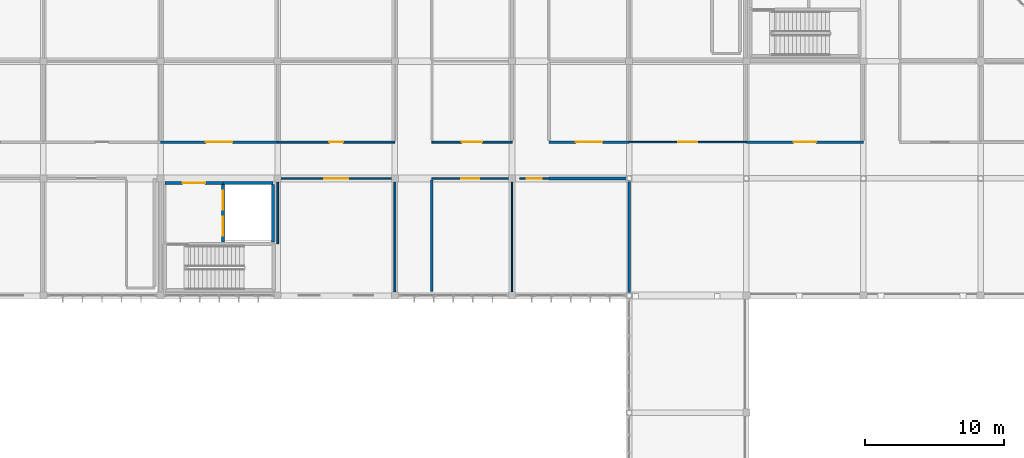
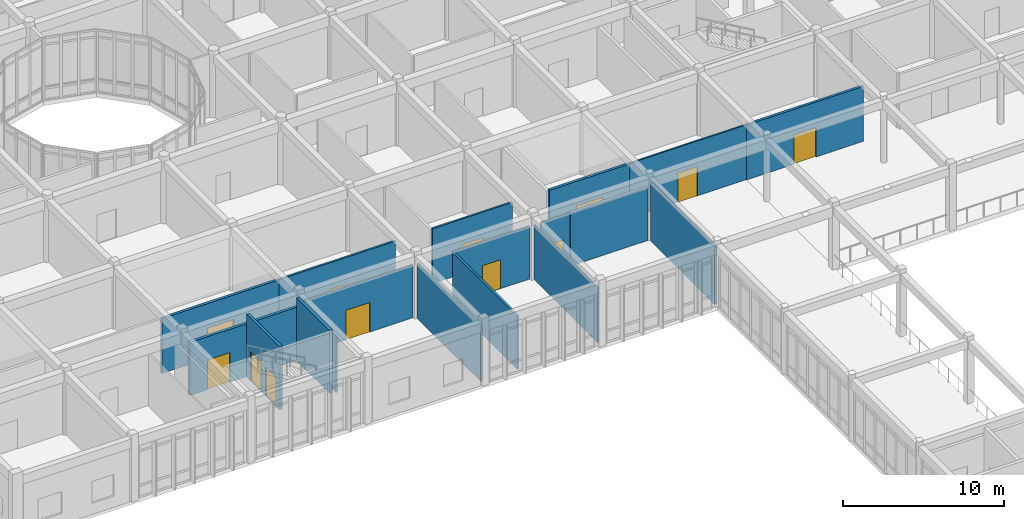
# One storey, part 92 of 134: 19 walls, 12 doors, 12 openings.
"""IFC4 building model written with IfcOpenShell, lengths in metres."""

import ifcopenshell
import ifcopenshell.guid

model = None  # the IFC model being written
_history = None  # IfcOwnerHistory: only IFC2X3 demands one
_inside = {}  # id of a spatial element -> (the spatial element, [elements in it])
_under = {}  # id of a project, library or spatial element -> (it, [spatial elements below it])
_declared = {}  # id of a project -> (the project, [libraries it declares])
_typed = {}  # id of a type object -> (the type object, [elements of that type])
_made_of = {}  # id of a material, layer set ... -> (it, [elements and type objects made of it])


def new_model(schema):
    """Start an empty IFC model of exactly this schema.

    Asked for "IFC4X3", IfcOpenShell would pick the latest addendum, in which some entities
    have other attributes; the version numbers below select the first issue.
    IFC2X3 requires an IfcOwnerHistory on every rooted entity: one is made here for all.
    """
    global model, _history
    if schema == "IFC4X3":
        model = ifcopenshell.file(schema_version=(4, 3, 0, 0))
    else:
        model = ifcopenshell.file(schema=schema)
    _inside.clear()
    _under.clear()
    _declared.clear()
    _typed.clear()
    _made_of.clear()
    _history = None
    if model.schema == "IFC2X3":
        org = make("IfcOrganization", Name="unknown")
        user = make(
            "IfcPersonAndOrganization",
            ThePerson=make("IfcPerson", FamilyName="unknown"),
            TheOrganization=org,
        )
        app = make(
            "IfcApplication",
            ApplicationDeveloper=org,
            Version="unknown",
            ApplicationFullName="unknown",
            ApplicationIdentifier="unknown",
        )
        _history = make(
            "IfcOwnerHistory",
            OwningUser=user,
            OwningApplication=app,
            ChangeAction="ADDED",
            CreationDate=0,
        )
    return model


def make(cls, **values):
    """One entity of the class cls with the attributes given. An attribute that is None is left unset."""
    return model.create_entity(
        cls, **{name: value for name, value in values.items() if value is not None}
    )


def rooted(cls, **values):
    """An entity with a GlobalId (a new one), such as an element, a storey or a relation."""
    return make(cls, GlobalId=ifcopenshell.guid.new(), OwnerHistory=_history, **values)


def si_unit(unit_type, name, prefix=None):
    """IfcSIUnit, for example si_unit("LENGTHUNIT", "METRE", prefix="MILLI")."""
    return make("IfcSIUnit", UnitType=unit_type, Prefix=prefix, Name=name)


def assignment(units):
    """IfcUnitAssignment: the units of a project."""
    return None if units is None else make("IfcUnitAssignment", Units=units)


def point(xyz):
    """IfcCartesianPoint."""
    return None if xyz is None else make("IfcCartesianPoint", Coordinates=xyz)


def direction(xyz):
    """IfcDirection."""
    return None if xyz is None else make("IfcDirection", DirectionRatios=xyz)


def frame(location, z_axis=None, x_axis=None):
    """IfcAxis2Placement3D, a coordinate frame: its origin and axes. An axis left out is left unset."""
    return make(
        "IfcAxis2Placement3D",
        Location=point(location),
        Axis=direction(z_axis),
        RefDirection=direction(x_axis),
    )


def frame_2d(location, x_axis=None):
    """IfcAxis2Placement2D, a coordinate frame in the plane: its origin and x axis."""
    return make(
        "IfcAxis2Placement2D", Location=point(location), RefDirection=direction(x_axis)
    )


def origin():
    """The frame at (0, 0, 0) with its axes left unset."""
    return frame((0.0, 0.0, 0.0))


def place(relative_to, where):
    """IfcLocalPlacement: puts the frame where relative to a parent placement (None: the world)."""
    return make(
        "IfcLocalPlacement", PlacementRelTo=relative_to, RelativePlacement=where
    )


def context(
    kind, dimensions, precision=None, world=None, true_north=None, identifier=None
):
    """IfcGeometricRepresentationContext, for example the 3D "Model" context."""
    return make(
        "IfcGeometricRepresentationContext",
        ContextIdentifier=identifier,
        ContextType=kind,
        CoordinateSpaceDimension=dimensions,
        Precision=precision,
        WorldCoordinateSystem=world,
        TrueNorth=true_north,
    )


def subcontext(parent, identifier, kind, view, scale=None):
    """IfcGeometricRepresentationSubContext, for example "Body" below "Model"."""
    return make(
        "IfcGeometricRepresentationSubContext",
        ContextIdentifier=identifier,
        ContextType=kind,
        ParentContext=parent,
        TargetScale=scale,
        TargetView=view,
    )


def project(units=None, contexts=None):
    """IfcProject with its units and contexts."""
    return rooted(
        "IfcProject",
        Name="project",
        RepresentationContexts=contexts,
        UnitsInContext=assignment(units),
    )


def spatial(cls, under=None, at=None, **own):
    """A site, building, storey or space (cls), placed at a placement, below another one or the project."""
    s = rooted(cls, ObjectPlacement=at, **own)
    if under is not None:
        _under.setdefault(under.id(), (under, []))[1].append(s)
    return s


def profile(cls, at=None, kind="AREA", **sizes):
    """A parametric profile (cls). Its sizes go by their IFC names, for example OverallWidth=200.0."""
    return make(cls, ProfileType=kind, Position=at, **sizes)


def rectangle(**sizes):
    """IfcRectangleProfileDef."""
    return profile("IfcRectangleProfileDef", **sizes)


def extrude(swept, where, along, depth):
    """IfcExtrudedAreaSolid: the profile swept, set in the frame where, extruded along a direction by depth."""
    return make(
        "IfcExtrudedAreaSolid",
        SweptArea=swept,
        Position=where,
        ExtrudedDirection=direction(along),
        Depth=depth,
    )


def shape(context_of_items, identifier, shape_type, items):
    """IfcShapeRepresentation: the items that make up one representation, for example the "Body"."""
    return make(
        "IfcShapeRepresentation",
        ContextOfItems=context_of_items,
        RepresentationIdentifier=identifier,
        RepresentationType=shape_type,
        Items=items,
    )


def material(Name=None, Category=None):
    """IfcMaterial."""
    return make("IfcMaterial", Name=Name, Category=Category)


def layer(
    of_material, thickness, ventilated=None, Name=None, Category=None, Priority=None
):
    """IfcMaterialLayer: one layer of a wall or slab, of a material (None: an air gap)."""
    return make(
        "IfcMaterialLayer",
        Material=of_material,
        LayerThickness=thickness,
        IsVentilated=ventilated,
        Name=Name,
        Category=Category,
        Priority=Priority,
    )


def layer_set(layers, Name=None):
    """IfcMaterialLayerSet."""
    return make("IfcMaterialLayerSet", MaterialLayers=layers, LayerSetName=Name)


def made_of(thing, what):
    """Note that an element or type object is made of a material, layer set ...; save() writes the relation."""
    if what is not None:
        _made_of.setdefault(what.id(), (what, []))[1].append(thing)
    return thing


def type_object(cls, material=None, **own):
    """A type object (cls), such as IfcWallType, which elements share."""
    return made_of(rooted(cls, **own), material)


def element(
    cls,
    number,
    at=None,
    inside=None,
    cuts=None,
    type_object=None,
    material=None,
    context=None,
    identifier="Body",
    shape_type=None,
    held_by="IfcProductDefinitionShape",
    body=None,
    shapes=None,
    **own,
):
    """One element of the class cls, such as IfcWall. Its Tag is "e" and its number.

    at: its placement. inside: the storey or other place that contains it. cuts: it is an
    opening in that element (IfcRelVoidsElement). A single representation is given by context,
    identifier, shape_type and body (its items); several are given by shapes. held_by: the class
    of the entity that holds the representations. save() writes the other relations.
    """
    e = rooted(cls, Tag="e%d" % number, ObjectPlacement=at, **own)
    if body is not None:
        shapes = [shape(context, identifier, shape_type, body)]
    if shapes is not None:
        e.Representation = make(held_by, Representations=shapes)
    if inside is not None:
        _inside.setdefault(inside.id(), (inside, []))[1].append(e)
    if cuts is not None:
        rooted(
            "IfcRelVoidsElement", RelatingBuildingElement=cuts, RelatedOpeningElement=e
        )
    if type_object is not None:
        _typed.setdefault(type_object.id(), (type_object, []))[1].append(e)
    return made_of(e, material)


def fill(opening, filler):
    """IfcRelFillsElement: the door or window that sits in an opening."""
    return rooted(
        "IfcRelFillsElement",
        RelatingOpeningElement=opening,
        RelatedBuildingElement=filler,
    )


def aggregate(whole, parts):
    """IfcRelAggregates: a whole, such as a stair, and the parts it consists of."""
    return rooted("IfcRelAggregates", RelatingObject=whole, RelatedObjects=parts)


def save(model, path):
    """Write the relations noted so far, then the file.

    IfcRelAggregates (storeys below a building ...), IfcRelContainedInSpatialStructure (elements
    in a storey), IfcRelDefinesByType, IfcRelAssociatesMaterial and IfcRelDeclares: one each for
    every whole, place, type object, material and project.
    """
    for whole, parts in _under.values():
        aggregate(whole, parts)
    for where, things in _inside.values():
        rooted(
            "IfcRelContainedInSpatialStructure",
            RelatedElements=things,
            RelatingStructure=where,
        )
    for kind, things in _typed.values():
        rooted("IfcRelDefinesByType", RelatedObjects=things, RelatingType=kind)
    for what, things in _made_of.values():
        rooted("IfcRelAssociatesMaterial", RelatedObjects=things, RelatingMaterial=what)
    for by, libraries in _declared.values():
        rooted("IfcRelDeclares", RelatingContext=by, RelatedDefinitions=libraries)
    model.write(path)


model = new_model("IFC4")

# Units and contexts
model_context = context("Model", 3, precision=1e-05, world=origin(), true_north=direction((0.0, 1.0)))
body_context = subcontext(model_context, "Body", "Model", "MODEL_VIEW")
ifc_project = project(units=[si_unit("LENGTHUNIT", "METRE"), si_unit("AREAUNIT", "SQUARE_METRE"), si_unit("VOLUMEUNIT", "CUBIC_METRE"), si_unit("PLANEANGLEUNIT", "RADIAN"), si_unit("MASSUNIT", "GRAM", prefix="KILO")], contexts=[model_context])

# Site, building, storey
site_placement = place(None, origin())
site = spatial("IfcSite", under=ifc_project, at=site_placement, CompositionType="ELEMENT")
building_placement = place(site_placement, origin())
building = spatial("IfcBuilding", under=site, at=building_placement, Name="Bramfleet General Hospital", CompositionType="ELEMENT")
storey_placement = place(building_placement, frame((0.0, 0.0, 9.300048828125)))
storey = spatial("IfcBuildingStorey", under=building, at=storey_placement, Name="L02", CompositionType="ELEMENT", Elevation=9.300048828125)

# Wall
ifc_material_1 = material(Name="Concrete C35/45", Category="concrete")
ifc_layer_1 = layer(ifc_material_1, 0.219970703125, Name="WT-IW-01")
ifc_layer_set_1 = layer_set([ifc_layer_1], Name="Concrete C35/45")
wall_type_1 = type_object("IfcWallType", Name="WT-IW-01", PredefinedType="PARTITIONING", material=ifc_layer_set_1)
wall_1_placement = place(storey_placement, frame((44.64990234375, 58.800048828125, 0.0), z_axis=(0.0, 0.0, 1.0), x_axis=(1.0, 0.0, 0.0)))
element("IfcWall", 1, at=wall_1_placement, inside=storey, type_object=wall_type_1, Name="L02 Interior Partition IW-L02-1981", PredefinedType="PARTITIONING", context=body_context, shape_type="SweptSolid", body=[
    extrude(rectangle(XDim=5.552001953125, YDim=0.219970703125, at=frame_2d((2.77587890625, 0.0))), origin(), (0.0, 0.0, 1.0), 4.02001953125),
])

# Wall, openings, doors
ifc_layer_2 = layer(ifc_material_1, 0.205078125, Name="WT-IW-02")
ifc_layer_set_2 = layer_set([ifc_layer_2], Name="Concrete C35/45")
wall_type_2 = type_object("IfcWallType", Name="WT-IW-02", PredefinedType="PARTITIONING", material=ifc_layer_set_2)
wall_2_placement = place(storey_placement, frame((21.280029296875, 54.239990234375, 0.0), z_axis=(0.0, 0.0, 1.0), x_axis=(0.0, 1.0, 0.0)))
wall_2 = element("IfcWall", 2, at=wall_2_placement, inside=storey, type_object=wall_type_2, Name="L02 C2 Lobby East Shaft Wall", PredefinedType="PARTITIONING", context=body_context, shape_type="SweptSolid", body=[
    extrude(rectangle(XDim=4.1201171875, YDim=0.205078125, at=frame_2d((2.06005859375, 0.0))), origin(), (0.0, 0.0, 1.0), 4.77001953125),
])
opening_1_placement = place(wall_2_placement, frame((0.445068359375, 0.0, 0.0)))
opening_1 = element("IfcOpeningElement", 3, at=opening_1_placement, cuts=wall_2, Name="Opening LD-BL-01-L02", PredefinedType="OPENING", context=body_context, shape_type="SweptSolid", body=[
    extrude(rectangle(XDim=1.35009765625, YDim=2.199951171875, at=frame_2d((0.675048828125, 1.10009765625))), frame((0.0, 0.112548828125, 0.0), z_axis=(0.0, -1.0, 0.0), x_axis=(1.0, 0.0, 0.0)), (0.0, 0.0, 1.0), 0.22509765625),
])
opening_2_placement = place(wall_2_placement, frame((2.324951171875, 0.0, 0.0)))
opening_2 = element("IfcOpeningElement", 4, at=opening_2_placement, cuts=wall_2, Name="Opening LD-GL-01-L02", PredefinedType="OPENING", context=body_context, shape_type="SweptSolid", body=[
    extrude(rectangle(XDim=1.35009765625, YDim=2.199951171875, at=frame_2d((0.675048828125, 1.10009765625))), frame((0.0, 0.112548828125, 0.0), z_axis=(0.0, -1.0, 0.0), x_axis=(1.0, 0.0, 0.0)), (0.0, 0.0, 1.0), 0.22509765625),
])
ifc_material_2 = material(Name="Brushed stainless steel 1.4301", Category="steel")
door_type_1 = type_object("IfcDoorType", Name="DR-LD-01", OperationType="NOTDEFINED", PredefinedType="DOOR", material=ifc_material_2)
door_1_placement = place(opening_1_placement, origin())
door_1 = element("IfcDoor", 5, at=door_1_placement, inside=storey, type_object=door_type_1, Name="L02 Lift BL-01 Sliding Landing Door", OperationType="SLIDING_TO_LEFT", OverallHeight=2.199951171875, OverallWidth=1.35009765625, PredefinedType="DOOR", context=body_context, shape_type="SweptSolid", body=[
    extrude(rectangle(XDim=1.35009765625, YDim=2.199951171875, at=frame_2d((0.675048828125, 1.10009765625))), frame((0.0, 0.02490234375, 0.0), z_axis=(0.0, -1.0, 0.0), x_axis=(1.0, 0.0, 0.0)), (0.0, 0.0, 1.0), 0.050048828125),
])
fill(opening_1, door_1)
door_2_placement = place(opening_2_placement, origin())
door_2 = element("IfcDoor", 6, at=door_2_placement, inside=storey, type_object=door_type_1, Name="L02 Lift GL-01 Sliding Landing Door", OperationType="SLIDING_TO_LEFT", OverallHeight=2.199951171875, OverallWidth=1.35009765625, PredefinedType="DOOR", context=body_context, shape_type="SweptSolid", body=[
    extrude(rectangle(XDim=1.35009765625, YDim=2.199951171875, at=frame_2d((0.675048828125, 1.10009765625))), frame((0.0, 0.02490234375, 0.0), z_axis=(0.0, -1.0, 0.0), x_axis=(1.0, 0.0, 0.0)), (0.0, 0.0, 1.0), 0.050048828125),
])
fill(opening_2, door_2)

# Walls
wall_3_placement = place(storey_placement, frame((24.85009765625, 54.239990234375, 0.0), z_axis=(0.0, 0.0, 1.0), x_axis=(0.0, 1.0, 0.0)))
element("IfcWall", 7, at=wall_3_placement, inside=storey, type_object=wall_type_2, Name="L02 C2 Lift Shaft East Wall", PredefinedType="PARTITIONING", context=body_context, shape_type="SweptSolid", body=[
    extrude(rectangle(XDim=4.1201171875, YDim=0.205078125, at=frame_2d((2.06005859375, 0.0))), origin(), (0.0, 0.0, 1.0), 4.77001953125),
])
wall_4_placement = place(storey_placement, frame((21.280029296875, 58.47998046875, 0.0), z_axis=(0.0, 0.0, 1.0), x_axis=(1.0, 0.0, 0.0)))
element("IfcWall", 8, at=wall_4_placement, inside=storey, type_object=wall_type_2, Name="L02 C2 Lift Shaft North Wall", PredefinedType="PARTITIONING", context=body_context, shape_type="SweptSolid", body=[
    extrude(rectangle(XDim=3.570068359375, YDim=0.205078125, at=frame_2d((1.78515625, 0.0))), origin(), (0.0, 0.0, 1.0), 4.02001953125),
])

# Wall, opening, door
wall_5_placement = place(storey_placement, frame((17.10009765625, 58.47998046875, 0.0), z_axis=(0.0, 0.0, 1.0), x_axis=(1.0, 0.0, 0.0)))
wall_5 = element("IfcWall", 9, at=wall_5_placement, inside=storey, type_object=wall_type_2, Name="L02 C2 Lobby North Compartment Wall", PredefinedType="PARTITIONING", context=body_context, shape_type="SweptSolid", body=[
    extrude(rectangle(XDim=4.179931640625, YDim=0.205078125, at=frame_2d((2.08984375, 0.0))), origin(), (0.0, 0.0, 1.0), 4.02001953125),
])
opening_3_placement = place(wall_5_placement, frame((1.2900390625, 0.0, 0.0)))
opening_3 = element("IfcOpeningElement", 10, at=opening_3_placement, cuts=wall_5, Name="Opening D0016", PredefinedType="OPENING", context=body_context, shape_type="SweptSolid", body=[
    extrude(rectangle(XDim=1.60009765625, YDim=2.25, at=frame_2d((0.800048828125, 1.125))), frame((0.0, 0.112548828125, 0.0), z_axis=(0.0, -1.0, 0.0), x_axis=(1.0, 0.0, 0.0)), (0.0, 0.0, 1.0), 0.22509765625),
])
ifc_material_3 = material(Name="Stainless steel and acoustic timber leaf", Category="steel")
door_type_2 = type_object("IfcDoorType", Name="DR-D-04", OperationType="NOTDEFINED", PredefinedType="DOOR", material=ifc_material_3)
door_3_placement = place(opening_3_placement, origin())
door_3 = element("IfcDoor", 11, at=door_3_placement, inside=storey, type_object=door_type_2, Name="L02 C2 Lobby Fire Door D0016", OperationType="DOUBLE_SWING_LEFT", OverallHeight=2.25, OverallWidth=1.60009765625, PredefinedType="DOOR", context=body_context, shape_type="SweptSolid", body=[
    extrude(rectangle(XDim=1.60009765625, YDim=2.25, at=frame_2d((0.800048828125, 1.125))), frame((0.0, 0.02490234375, 0.0), z_axis=(0.0, -1.0, 0.0), x_axis=(1.0, 0.0, 0.0)), (0.0, 0.0, 1.0), 0.050048828125),
])
fill(opening_3, door_3)

ifc_layer_3 = layer(ifc_material_1, 0.18994140625, Name="WT-IW-03")
ifc_layer_set_3 = layer_set([ifc_layer_3], Name="Concrete C35/45")
wall_type_3 = type_object("IfcWallType", Name="WT-IW-03", PredefinedType="PARTITIONING", material=ifc_layer_set_3)
wall_6_placement = place(storey_placement, frame((16.800048828125, 61.39990234375, 0.0), z_axis=(0.0, 0.0, 1.0), x_axis=(1.0, 0.0, 0.0)))
wall_6 = element("IfcWall", 12, at=wall_6_placement, inside=storey, type_object=wall_type_3, Name="L02 Interior Partition IW-L02-1987", PredefinedType="PARTITIONING", context=body_context, shape_type="SweptSolid", body=[
    extrude(rectangle(XDim=8.39990234375, YDim=0.18994140625, at=frame_2d((4.199951171875, 0.0))), origin(), (0.0, 0.0, 1.0), 4.169921875),
])
opening_4_placement = place(wall_6_placement, frame((3.25, 0.0, 0.0)))
opening_4 = element("IfcOpeningElement", 13, at=opening_4_placement, cuts=wall_6, Name="Opening D0864", PredefinedType="OPENING", context=body_context, shape_type="SweptSolid", body=[
    extrude(rectangle(XDim=1.89990234375, YDim=2.300048828125, at=frame_2d((0.949951171875, 1.14990234375))), frame((0.0, 0.10498046875, 0.0), z_axis=(0.0, -1.0, 0.0), x_axis=(1.0, 0.0, 0.0)), (0.0, 0.0, 1.0), 0.2099609375),
])
door_type_3 = type_object("IfcDoorType", Name="DR-D-06", OperationType="NOTDEFINED", PredefinedType="DOOR", material=ifc_material_3)
door_4_placement = place(opening_4_placement, origin())
door_4 = element("IfcDoor", 14, at=door_4_placement, inside=storey, type_object=door_type_3, Name="Operating Theatre 2 Door D0864", OperationType="SLIDING_TO_LEFT", OverallHeight=2.300048828125, OverallWidth=1.89990234375, PredefinedType="DOOR", context=body_context, shape_type="SweptSolid", body=[
    extrude(rectangle(XDim=1.89990234375, YDim=2.300048828125, at=frame_2d((0.949951171875, 1.14990234375))), frame((0.0, 0.02490234375, 0.0), z_axis=(0.0, -1.0, 0.0), x_axis=(1.0, 0.0, 0.0)), (0.0, 0.0, 1.0), 0.050048828125),
])
fill(opening_4, door_4)

wall_7_placement = place(storey_placement, frame((44.64990234375, 61.39990234375, 0.0), z_axis=(0.0, 0.0, 1.0), x_axis=(1.0, 0.0, 0.0)))
wall_7 = element("IfcWall", 15, at=wall_7_placement, inside=storey, type_object=wall_type_3, Name="L02 Interior Partition IW-L02-1990", PredefinedType="PARTITIONING", context=body_context, shape_type="SweptSolid", body=[
    extrude(rectangle(XDim=5.75, YDim=0.18994140625, at=frame_2d((2.875, 0.0))), origin(), (0.0, 0.0, 1.0), 4.169921875),
])
opening_5_placement = place(wall_7_placement, frame((1.925048828125, 0.0, 0.0)))
opening_5 = element("IfcOpeningElement", 16, at=opening_5_placement, cuts=wall_7, Name="Opening D0887", PredefinedType="OPENING", context=body_context, shape_type="SweptSolid", body=[
    extrude(rectangle(XDim=1.89990234375, YDim=2.300048828125, at=frame_2d((0.949951171875, 1.14990234375))), frame((0.0, 0.10498046875, 0.0), z_axis=(0.0, -1.0, 0.0), x_axis=(1.0, 0.0, 0.0)), (0.0, 0.0, 1.0), 0.2099609375),
])
door_5_placement = place(opening_5_placement, origin())
door_5 = element("IfcDoor", 17, at=door_5_placement, inside=storey, type_object=door_type_3, Name="Operating Theatre 3 Door D0887", OperationType="SLIDING_TO_LEFT", OverallHeight=2.300048828125, OverallWidth=1.89990234375, PredefinedType="DOOR", context=body_context, shape_type="SweptSolid", body=[
    extrude(rectangle(XDim=1.89990234375, YDim=2.300048828125, at=frame_2d((0.949951171875, 1.14990234375))), frame((0.0, 0.02490234375, 0.0), z_axis=(0.0, -1.0, 0.0), x_axis=(1.0, 0.0, 0.0)), (0.0, 0.0, 1.0), 0.050048828125),
])
fill(opening_5, door_5)

ifc_layer_4 = layer(ifc_material_1, 0.179931640625, Name="WT-IW-04")
ifc_layer_set_4 = layer_set([ifc_layer_4], Name="Concrete C35/45")
wall_type_4 = type_object("IfcWallType", Name="WT-IW-04", PredefinedType="PARTITIONING", material=ifc_layer_set_4)
wall_8_placement = place(storey_placement, frame((58.800048828125, 61.39990234375, 0.0), z_axis=(0.0, 0.0, 1.0), x_axis=(1.0, 0.0, 0.0)))
wall_8 = element("IfcWall", 18, at=wall_8_placement, inside=storey, type_object=wall_type_4, Name="L02 Interior Partition IW-L02-1992", PredefinedType="PARTITIONING", context=body_context, shape_type="SweptSolid", body=[
    extrude(rectangle(XDim=8.39990234375, YDim=0.179931640625, at=frame_2d((4.199951171875, 0.0))), origin(), (0.0, 0.0, 1.0), 4.169921875),
])
opening_6_placement = place(wall_8_placement, frame((3.39990234375, 0.0, 0.0)))
opening_6 = element("IfcOpeningElement", 19, at=opening_6_placement, cuts=wall_8, Name="Opening D0900", PredefinedType="OPENING", context=body_context, shape_type="SweptSolid", body=[
    extrude(rectangle(XDim=1.60009765625, YDim=2.25, at=frame_2d((0.800048828125, 1.125))), frame((0.0, 0.099853515625, 0.0), z_axis=(0.0, -1.0, 0.0), x_axis=(1.0, 0.0, 0.0)), (0.0, 0.0, 1.0), 0.199951171875),
])
door_6_placement = place(opening_6_placement, origin())
door_6 = element("IfcDoor", 20, at=door_6_placement, inside=storey, type_object=door_type_2, Name="Interventional Cardiology Cath Lab L02-0707 Door D0900", OperationType="DOUBLE_SWING_LEFT", OverallHeight=2.25, OverallWidth=1.60009765625, PredefinedType="DOOR", context=body_context, shape_type="SweptSolid", body=[
    extrude(rectangle(XDim=1.60009765625, YDim=2.25, at=frame_2d((0.800048828125, 1.125))), frame((0.0, 0.02490234375, 0.0), z_axis=(0.0, -1.0, 0.0), x_axis=(1.0, 0.0, 0.0)), (0.0, 0.0, 1.0), 0.050048828125),
])
fill(opening_6, door_6)

# Walls
ifc_material_4 = material(Name="Gypsum plasterboard on acoustic steel studs", Category="steel")
ifc_layer_5 = layer(ifc_material_4, 0.159912109375, Name="WT-IW-06")
ifc_layer_set_5 = layer_set([ifc_layer_5], Name="Gypsum plasterboard on acoustic steel studs")
wall_type_5 = type_object("IfcWallType", Name="WT-IW-06", PredefinedType="PARTITIONING", material=ifc_layer_set_5)
wall_9_placement = place(storey_placement, frame((36.25, 50.679931640625, 0.0), z_axis=(0.0, 0.0, 1.0), x_axis=(0.0, 1.0, 0.0)))
element("IfcWall", 21, at=wall_9_placement, inside=storey, type_object=wall_type_5, Name="L02 Interior Partition IW-L02-2238", PredefinedType="PARTITIONING", context=body_context, shape_type="SweptSolid", body=[
    extrude(rectangle(XDim=8.005126953125, YDim=0.159912109375, at=frame_2d((4.00244140625, 0.0))), origin(), (0.0, 0.0, 1.0), 4.02001953125),
])
wall_10_placement = place(storey_placement, frame((50.39990234375, 50.59814453125, 0.0), z_axis=(0.0, 0.0, 1.0), x_axis=(0.0, 1.0, 0.0)))
element("IfcWall", 22, at=wall_10_placement, inside=storey, type_object=wall_type_5, Name="L02 Interior Partition IW-L02-2262", PredefinedType="PARTITIONING", context=body_context, shape_type="SweptSolid", body=[
    extrude(rectangle(XDim=8.003662109375, YDim=0.159912109375, at=frame_2d((4.001953125, 0.0))), origin(), (0.0, 0.0, 1.0), 4.369873046875),
])

# Wall, opening, door
ifc_layer_6 = layer(ifc_material_4, 0.139892578125, Name="WT-IW-08")
ifc_layer_set_6 = layer_set([ifc_layer_6], Name="Gypsum plasterboard on acoustic steel studs")
wall_type_6 = type_object("IfcWallType", Name="WT-IW-08", PredefinedType="PARTITIONING", material=ifc_layer_set_6)
wall_11_placement = place(storey_placement, frame((25.199951171875, 61.39990234375, 0.0), z_axis=(0.0, 0.0, 1.0), x_axis=(1.0, 0.0, 0.0)))
wall_11 = element("IfcWall", 23, at=wall_11_placement, inside=storey, type_object=wall_type_6, Name="L02 Interior Partition IW-L02-1988", PredefinedType="PARTITIONING", context=body_context, shape_type="SweptSolid", body=[
    extrude(rectangle(XDim=8.400146484375, YDim=0.139892578125, at=frame_2d((4.2001953125, 0.0))), origin(), (0.0, 0.0, 1.0), 4.169921875),
])
opening_7_placement = place(wall_11_placement, frame((3.699951171875, 0.0, 0.0)))
opening_7 = element("IfcOpeningElement", 24, at=opening_7_placement, cuts=wall_11, Name="Opening D0872", PredefinedType="OPENING", context=body_context, shape_type="SweptSolid", body=[
    extrude(rectangle(XDim=1.0, YDim=2.14990234375, at=frame_2d((0.5, 1.074951171875))), frame((0.0, 0.079833984375, 0.0), z_axis=(0.0, -1.0, 0.0), x_axis=(1.0, 0.0, 0.0)), (0.0, 0.0, 1.0), 0.159912109375),
])
door_type_4 = type_object("IfcDoorType", Name="DR-D-08", OperationType="NOTDEFINED", PredefinedType="DOOR", material=ifc_material_3)
door_7_placement = place(opening_7_placement, origin())
door_7 = element("IfcDoor", 25, at=door_7_placement, inside=storey, type_object=door_type_4, Name="Post-Anaesthesia Recovery Ward Bay L02-0307 Door D0872", OperationType="SINGLE_SWING_LEFT", OverallHeight=2.14990234375, OverallWidth=1.0, PredefinedType="DOOR", context=body_context, shape_type="SweptSolid", body=[
    extrude(rectangle(XDim=1.0, YDim=2.14990234375, at=frame_2d((0.5, 1.074951171875))), frame((0.0, 0.02490234375, 0.0), z_axis=(0.0, -1.0, 0.0), x_axis=(1.0, 0.0, 0.0)), (0.0, 0.0, 1.0), 0.050048828125),
])
fill(opening_7, door_7)

ifc_layer_7 = layer(ifc_material_4, 0.1298828125, Name="WT-IW-09")
ifc_layer_set_7 = layer_set([ifc_layer_7], Name="Gypsum plasterboard on acoustic steel studs")
wall_type_7 = type_object("IfcWallType", Name="WT-IW-09", PredefinedType="PARTITIONING", material=ifc_layer_set_7)
wall_12_placement = place(storey_placement, frame((36.25, 61.39990234375, 0.0), z_axis=(0.0, 0.0, 1.0), x_axis=(1.0, 0.0, 0.0)))
wall_12 = element("IfcWall", 26, at=wall_12_placement, inside=storey, type_object=wall_type_7, Name="L02 Interior Partition IW-L02-1989", PredefinedType="PARTITIONING", context=body_context, shape_type="SweptSolid", body=[
    extrude(rectangle(XDim=5.75, YDim=0.1298828125, at=frame_2d((2.875, 0.0))), origin(), (0.0, 0.0, 1.0), 4.169921875),
])
opening_8_placement = place(wall_12_placement, frame((2.135009765625, 0.0, 0.0)))
opening_8 = element("IfcOpeningElement", 27, at=opening_8_placement, cuts=wall_12, Name="Opening D0880", PredefinedType="OPENING", context=body_context, shape_type="SweptSolid", body=[
    extrude(rectangle(XDim=1.47998046875, YDim=2.219970703125, at=frame_2d((0.739990234375, 1.10986328125))), frame((0.0, 0.074951171875, 0.0), z_axis=(0.0, -1.0, 0.0), x_axis=(1.0, 0.0, 0.0)), (0.0, 0.0, 1.0), 0.14990234375),
])
door_type_5 = type_object("IfcDoorType", Name="DR-D-16", OperationType="NOTDEFINED", PredefinedType="DOOR", material=ifc_material_3)
door_8_placement = place(opening_8_placement, origin())
door_8 = element("IfcDoor", 28, at=door_8_placement, inside=storey, type_object=door_type_5, Name="Post-Anaesthesia Recovery Ward Bay L02-0407 Door D0880", OperationType="SINGLE_SWING_LEFT", OverallHeight=2.219970703125, OverallWidth=1.47998046875, PredefinedType="DOOR", context=body_context, shape_type="SweptSolid", body=[
    extrude(rectangle(XDim=1.47998046875, YDim=2.219970703125, at=frame_2d((0.739990234375, 1.10986328125))), frame((0.0, 0.02490234375, 0.0), z_axis=(0.0, -1.0, 0.0), x_axis=(1.0, 0.0, 0.0)), (0.0, 0.0, 1.0), 0.050048828125),
])
fill(opening_8, door_8)

# Wall
wall_13_placement = place(storey_placement, frame((33.60009765625, 50.64501953125, 0.0), z_axis=(0.0, 0.0, 1.0), x_axis=(0.0, 1.0, 0.0)))
element("IfcWall", 29, at=wall_13_placement, inside=storey, type_object=wall_type_7, Name="L02 Interior Partition IW-L02-2229", PredefinedType="PARTITIONING", context=body_context, shape_type="SweptSolid", body=[
    extrude(rectangle(XDim=7.909912109375, YDim=0.1298828125, at=frame_2d((3.955078125, 0.0))), origin(), (0.0, 0.0, 1.0), 4.169921875),
])

# Wall, opening, door
ifc_layer_8 = layer(ifc_material_4, 0.1201171875, Name="WT-IW-10")
ifc_layer_set_8 = layer_set([ifc_layer_8], Name="Gypsum plasterboard on acoustic steel studs")
wall_type_8 = type_object("IfcWallType", Name="WT-IW-10", PredefinedType="PARTITIONING", material=ifc_layer_set_8)
wall_14_placement = place(storey_placement, frame((25.445068359375, 58.800048828125, 0.0), z_axis=(0.0, 0.0, 1.0), x_axis=(1.0, 0.0, 0.0)))
wall_14 = element("IfcWall", 30, at=wall_14_placement, inside=storey, type_object=wall_type_8, Name="L02 Interior Partition IW-L02-1978", PredefinedType="PARTITIONING", context=body_context, shape_type="SweptSolid", body=[
    extrude(rectangle(XDim=7.909912109375, YDim=0.1201171875, at=frame_2d((3.955078125, 0.0))), origin(), (0.0, 0.0, 1.0), 4.02001953125),
])
opening_9_placement = place(wall_14_placement, frame((3.10498046875, 0.0, 0.0)))
opening_9 = element("IfcOpeningElement", 31, at=opening_9_placement, cuts=wall_14, Name="Opening D0871", PredefinedType="OPENING", context=body_context, shape_type="SweptSolid", body=[
    extrude(rectangle(XDim=1.699951171875, YDim=2.25, at=frame_2d((0.85009765625, 1.125))), frame((0.0, 0.070068359375, 0.0), z_axis=(0.0, -1.0, 0.0), x_axis=(1.0, 0.0, 0.0)), (0.0, 0.0, 1.0), 0.14013671875),
])
door_type_6 = type_object("IfcDoorType", Name="DR-D-07", OperationType="NOTDEFINED", PredefinedType="DOOR", material=ifc_material_3)
door_9_placement = place(opening_9_placement, origin())
door_9 = element("IfcDoor", 32, at=door_9_placement, inside=storey, type_object=door_type_6, Name="Surgical Scrub and Anaesthetic Induction 0306 Door D0871", OperationType="DOUBLE_SWING_RIGHT", OverallHeight=2.25, OverallWidth=1.699951171875, PredefinedType="DOOR", context=body_context, shape_type="SweptSolid", body=[
    extrude(rectangle(XDim=1.699951171875, YDim=2.25, at=frame_2d((0.85009765625, 1.125))), frame((0.0, 0.02490234375, 0.0), z_axis=(0.0, -1.0, 0.0), x_axis=(1.0, 0.0, 0.0)), (0.0, 0.0, 1.0), 0.050048828125),
])
fill(opening_9, door_9)

# Wall
wall_15_placement = place(storey_placement, frame((25.199951171875, 54.10009765625, 0.0), z_axis=(0.0, 0.0, 1.0), x_axis=(0.0, 1.0, 0.0)))
element("IfcWall", 33, at=wall_15_placement, inside=storey, type_object=wall_type_8, Name="L02 Interior Partition IW-L02-2218", PredefinedType="PARTITIONING", context=body_context, shape_type="SweptSolid", body=[
    extrude(rectangle(XDim=4.454833984375, YDim=0.1201171875, at=frame_2d((2.2275390625, 0.0))), origin(), (0.0, 0.0, 1.0), 4.169921875),
])

# Wall, opening, door
ifc_layer_9 = layer(ifc_material_4, 0.112060546875, Name="WT-IW-11")
ifc_layer_set_9 = layer_set([ifc_layer_9], Name="Gypsum plasterboard on acoustic steel studs")
wall_type_9 = type_object("IfcWallType", Name="WT-IW-11", PredefinedType="PARTITIONING", material=ifc_layer_set_9)
wall_16_placement = place(storey_placement, frame((36.25, 58.800048828125, 0.0), z_axis=(0.0, 0.0, 1.0), x_axis=(1.0, 0.0, 0.0)))
wall_16 = element("IfcWall", 34, at=wall_16_placement, inside=storey, type_object=wall_type_9, Name="L02 Interior Partition IW-L02-1979", PredefinedType="PARTITIONING", context=body_context, shape_type="SweptSolid", body=[
    extrude(rectangle(XDim=5.5048828125, YDim=0.112060546875, at=frame_2d((2.75244140625, 0.0))), origin(), (0.0, 0.0, 1.0), 4.02001953125),
])
opening_10_placement = place(wall_16_placement, frame((2.1025390625, 0.0, 0.0)))
opening_10 = element("IfcOpeningElement", 35, at=opening_10_placement, cuts=wall_16, Name="Opening D0879", PredefinedType="OPENING", context=body_context, shape_type="SweptSolid", body=[
    extrude(rectangle(XDim=1.300048828125, YDim=2.199951171875, at=frame_2d((0.64990234375, 1.10009765625))), frame((0.0, 0.06591796875, 0.0), z_axis=(0.0, -1.0, 0.0), x_axis=(1.0, 0.0, 0.0)), (0.0, 0.0, 1.0), 0.132080078125),
])
door_type_7 = type_object("IfcDoorType", Name="DR-D-15", OperationType="NOTDEFINED", PredefinedType="DOOR", material=ifc_material_3)
door_10_placement = place(opening_10_placement, origin())
door_10 = element("IfcDoor", 36, at=door_10_placement, inside=storey, type_object=door_type_7, Name="Surgical Scrub and Anaesthetic Induction 0406 Door D0879", OperationType="SINGLE_SWING_RIGHT", OverallHeight=2.199951171875, OverallWidth=1.300048828125, PredefinedType="DOOR", context=body_context, shape_type="SweptSolid", body=[
    extrude(rectangle(XDim=1.300048828125, YDim=2.199951171875, at=frame_2d((0.64990234375, 1.10009765625))), frame((0.0, 0.02490234375, 0.0), z_axis=(0.0, -1.0, 0.0), x_axis=(1.0, 0.0, 0.0)), (0.0, 0.0, 1.0), 0.050048828125),
])
fill(opening_10, door_10)

wall_17_placement = place(storey_placement, frame((50.39990234375, 61.39990234375, 0.0), z_axis=(0.0, 0.0, 1.0), x_axis=(1.0, 0.0, 0.0)))
wall_17 = element("IfcWall", 37, at=wall_17_placement, inside=storey, type_object=wall_type_9, Name="L02 Interior Partition IW-L02-1991", PredefinedType="PARTITIONING", context=body_context, shape_type="SweptSolid", body=[
    extrude(rectangle(XDim=8.400146484375, YDim=0.112060546875, at=frame_2d((4.2001953125, 0.0))), origin(), (0.0, 0.0, 1.0), 4.169921875),
])
opening_11_placement = place(wall_17_placement, frame((3.510009765625, 0.0, 0.0)))
opening_11 = element("IfcOpeningElement", 38, at=opening_11_placement, cuts=wall_17, Name="Opening D0894", PredefinedType="OPENING", context=body_context, shape_type="SweptSolid", body=[
    extrude(rectangle(XDim=1.3798828125, YDim=2.219970703125, at=frame_2d((0.68994140625, 1.10986328125))), frame((0.0, 0.06591796875, 0.0), z_axis=(0.0, -1.0, 0.0), x_axis=(1.0, 0.0, 0.0)), (0.0, 0.0, 1.0), 0.132080078125),
])
door_type_8 = type_object("IfcDoorType", Name="DR-D-30", OperationType="NOTDEFINED", PredefinedType="DOOR", material=ifc_material_3)
door_11_placement = place(opening_11_placement, origin())
door_11 = element("IfcDoor", 39, at=door_11_placement, inside=storey, type_object=door_type_8, Name="Post-Anaesthesia Recovery Ward Bay L02-0607 Door D0894", OperationType="SINGLE_SWING_LEFT", OverallHeight=2.219970703125, OverallWidth=1.3798828125, PredefinedType="DOOR", context=body_context, shape_type="SweptSolid", body=[
    extrude(rectangle(XDim=1.3798828125, YDim=2.219970703125, at=frame_2d((0.68994140625, 1.10986328125))), frame((0.0, 0.02490234375, 0.0), z_axis=(0.0, -1.0, 0.0), x_axis=(1.0, 0.0, 0.0)), (0.0, 0.0, 1.0), 0.050048828125),
])
fill(opening_11, door_11)

ifc_layer_10 = layer(ifc_material_4, 0.10009765625, Name="WT-IW-12")
ifc_layer_set_10 = layer_set([ifc_layer_10], Name="Gypsum plasterboard on acoustic steel studs")
wall_type_10 = type_object("IfcWallType", Name="WT-IW-12", PredefinedType="PARTITIONING", material=ifc_layer_set_10)
wall_18_placement = place(storey_placement, frame((42.550048828125, 58.800048828125, 0.0), z_axis=(0.0, 0.0, 1.0), x_axis=(1.0, 0.0, 0.0)))
wall_18 = element("IfcWall", 40, at=wall_18_placement, inside=storey, type_object=wall_type_10, Name="L02 Interior Partition IW-L02-1980", PredefinedType="PARTITIONING", context=body_context, shape_type="SweptSolid", body=[
    extrude(rectangle(XDim=2.099853515625, YDim=0.10009765625, at=frame_2d((1.0498046875, 0.0))), origin(), (0.0, 0.0, 1.0), 4.02001953125),
])
opening_12_placement = place(wall_18_placement, frame((0.510009765625, 0.0, 0.0)))
opening_12 = element("IfcOpeningElement", 41, at=opening_12_placement, cuts=wall_18, Name="Opening D0886", PredefinedType="OPENING", context=body_context, shape_type="SweptSolid", body=[
    extrude(rectangle(XDim=1.080078125, YDim=2.1201171875, at=frame_2d((0.5400390625, 1.06005859375))), frame((0.0, 0.06005859375, 0.0), z_axis=(0.0, -1.0, 0.0), x_axis=(1.0, 0.0, 0.0)), (0.0, 0.0, 1.0), 0.1201171875),
])
door_type_9 = type_object("IfcDoorType", Name="DR-D-22", OperationType="NOTDEFINED", PredefinedType="DOOR", material=ifc_material_3)
door_12_placement = place(opening_12_placement, origin())
door_12 = element("IfcDoor", 42, at=door_12_placement, inside=storey, type_object=door_type_9, Name="Surgical Scrub and Anaesthetic Induction 0506 Door D0886", OperationType="SINGLE_SWING_LEFT", OverallHeight=2.1201171875, OverallWidth=1.080078125, PredefinedType="DOOR", context=body_context, shape_type="SweptSolid", body=[
    extrude(rectangle(XDim=1.080078125, YDim=2.1201171875, at=frame_2d((0.5400390625, 1.06005859375))), frame((0.0, 0.02490234375, 0.0), z_axis=(0.0, -1.0, 0.0), x_axis=(1.0, 0.0, 0.0)), (0.0, 0.0, 1.0), 0.050048828125),
])
fill(opening_12, door_12)

# Wall
wall_19_placement = place(storey_placement, frame((42.0, 50.64501953125, 0.0), z_axis=(0.0, 0.0, 1.0), x_axis=(0.0, 1.0, 0.0)))
element("IfcWall", 43, at=wall_19_placement, inside=storey, type_object=wall_type_10, Name="L02 Interior Partition IW-L02-2244", PredefinedType="PARTITIONING", context=body_context, shape_type="SweptSolid", body=[
    extrude(rectangle(XDim=7.909912109375, YDim=0.10009765625, at=frame_2d((3.955078125, 0.0))), origin(), (0.0, 0.0, 1.0), 4.169921875),
])

save(model, "model.ifc")
